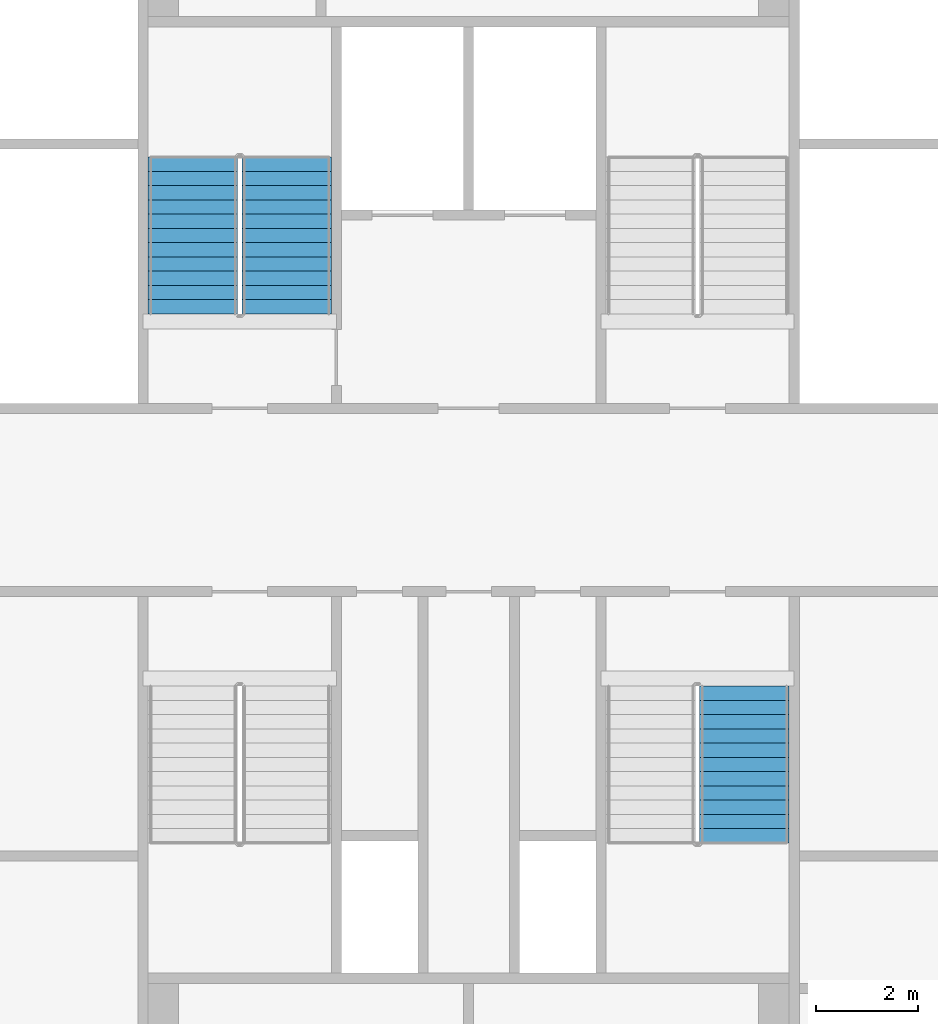
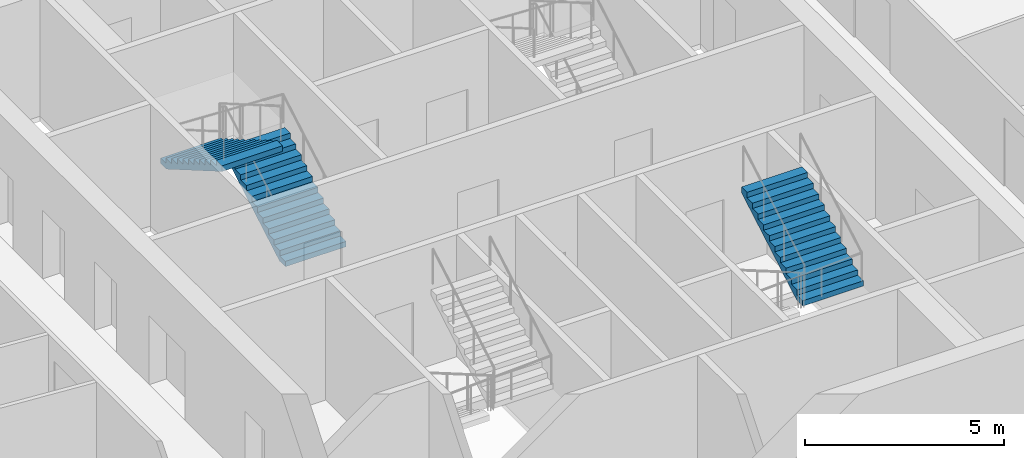
# One storey, part 8 of 14: 3 stair flights, 2 elements without a shape of their own.
"""IFC4 building model written with IfcOpenShell, lengths in metres."""

from ifc_helpers import new_model, si_unit, direction, frame, origin, place, context, subcontext, project, spatial, faceted_brep, material, type_object, element, aggregate, save


model = new_model("IFC4")

# Units and contexts
model_context = context("Model", 3, precision=1e-05, world=origin(), true_north=direction((0.0, 1.0)))
body_context = subcontext(model_context, "Body", "Model", "MODEL_VIEW")
ifc_project = project(units=[si_unit("LENGTHUNIT", "METRE"), si_unit("AREAUNIT", "SQUARE_METRE"), si_unit("VOLUMEUNIT", "CUBIC_METRE"), si_unit("PLANEANGLEUNIT", "RADIAN"), si_unit("MASSUNIT", "GRAM", prefix="KILO")], contexts=[model_context])

# Site, building, storey
site_placement = place(None, origin())
site = spatial("IfcSite", under=ifc_project, at=site_placement, CompositionType="ELEMENT")
building_placement = place(site_placement, origin())
building = spatial("IfcBuilding", under=site, at=building_placement, Name="Tarsis Ring Headquarters", CompositionType="ELEMENT")
storey_placement = place(building_placement, frame((0.0, 0.0, 266.89990234375)))
storey = spatial("IfcBuildingStorey", under=building, at=storey_placement, Name="L62", CompositionType="ELEMENT", Elevation=266.89990234375)

# Stair, stair flights
ifc_material_1 = material(Name="Core stair 1760")
stair_type = type_object("IfcStairType", Name="Core stair 1760", PredefinedType="HALF_TURN_STAIR", material=ifc_material_1)
stair_1_placement = place(storey_placement, origin())
stair_1 = element("IfcStair", 1, at=stair_1_placement, inside=storey, type_object=stair_type, Name="L62 Firefighting stair", PredefinedType="HALF_TURN_STAIR")
ifc_material_2 = material(Name="Concrete C40/50", Category="concrete")
stair_flight_type = type_object("IfcStairFlightType", Name="Core stair flight 1760", PredefinedType="STRAIGHT", material=ifc_material_2)
stair_flight_1_placement = place(storey_placement, frame((-3.580078125, 3.659912109375, 0.0), z_axis=(0.0, 0.0, 1.0), x_axis=(0.0, 1.0, 0.0)))
stair_flight_1 = element("IfcStairFlight", 2, at=stair_flight_1_placement, type_object=stair_flight_type, Name="Stair ST1 flight 1", NumberOfRisers=12, NumberOfTreads=11, PredefinedType="STRAIGHT", RiserHeight=0.1625, TreadLength=0.28, context=body_context, shape_type="Brep", body=[
    faceted_brep([(0.0, 0.8798828125, 0.0), (0.0, 0.8798828125, 0.16259765625), (0.280029296875, 0.8798828125, 0.16259765625), (0.280029296875, 0.8798828125, 0.324951171875), (0.56005859375, 0.8798828125, 0.324951171875), (0.56005859375, 0.8798828125, 0.487548828125), (0.840087890625, 0.8798828125, 0.487548828125), (0.840087890625, 0.8798828125, 0.64990234375), (1.1201171875, 0.8798828125, 0.64990234375), (1.1201171875, 0.8798828125, 0.8125), (1.39990234375, 0.8798828125, 0.8125), (1.39990234375, 0.8798828125, 0.97509765625), (1.679931640625, 0.8798828125, 0.97509765625), (1.679931640625, 0.8798828125, 1.137451171875), (1.9599609375, 0.8798828125, 1.137451171875), (1.9599609375, 0.8798828125, 1.300048828125), (2.239990234375, 0.8798828125, 1.300048828125), (2.239990234375, 0.8798828125, 1.46240234375), (2.52001953125, 0.8798828125, 1.46240234375), (2.52001953125, 0.8798828125, 1.625), (2.800048828125, 0.8798828125, 1.625), (2.800048828125, 0.8798828125, 1.78759765625), (3.080078125, 0.8798828125, 1.78759765625), (3.080078125, 0.8798828125, 1.6142578125), (0.298583984375, 0.8798828125, 0.0), (0.298583984375, -0.8798828125, 0.0), (3.080078125, -0.8798828125, 1.6142578125), (3.080078125, -0.8798828125, 1.78759765625), (2.800048828125, -0.8798828125, 1.78759765625), (2.800048828125, -0.8798828125, 1.625), (2.52001953125, -0.8798828125, 1.625), (2.52001953125, -0.8798828125, 1.46240234375), (2.239990234375, -0.8798828125, 1.46240234375), (2.239990234375, -0.8798828125, 1.300048828125), (1.9599609375, -0.8798828125, 1.300048828125), (1.9599609375, -0.8798828125, 1.137451171875), (1.679931640625, -0.8798828125, 1.137451171875), (1.679931640625, -0.8798828125, 0.97509765625), (1.39990234375, -0.8798828125, 0.97509765625), (1.39990234375, -0.8798828125, 0.8125), (1.1201171875, -0.8798828125, 0.8125), (1.1201171875, -0.8798828125, 0.64990234375), (0.840087890625, -0.8798828125, 0.64990234375), (0.840087890625, -0.8798828125, 0.487548828125), (0.56005859375, -0.8798828125, 0.487548828125), (0.56005859375, -0.8798828125, 0.324951171875), (0.280029296875, -0.8798828125, 0.324951171875), (0.280029296875, -0.8798828125, 0.16259765625), (0.0, -0.8798828125, 0.16259765625), (0.0, -0.8798828125, 0.0), (0.0, -0.43994140625, 0.16259765625), (0.0, -0.43994140625, 0.0), (0.0, 0.0, 0.16259765625), (0.0, 0.0, 0.0), (0.0, 0.43994140625, 0.16259765625), (0.0, 0.43994140625, 0.0), (0.280029296875, -0.43994140625, 0.16259765625), (0.280029296875, 0.0, 0.16259765625), (0.280029296875, 0.43994140625, 0.16259765625), (0.280029296875, -0.43994140625, 0.324951171875), (0.280029296875, 0.0, 0.324951171875), (0.280029296875, 0.43994140625, 0.324951171875), (0.56005859375, -0.43994140625, 0.324951171875), (0.56005859375, 0.0, 0.324951171875), (0.56005859375, 0.43994140625, 0.324951171875), (0.56005859375, -0.43994140625, 0.487548828125), (0.56005859375, 0.0, 0.487548828125), (0.56005859375, 0.43994140625, 0.487548828125), (0.840087890625, -0.43994140625, 0.487548828125), (0.840087890625, 0.0, 0.487548828125), (0.840087890625, 0.43994140625, 0.487548828125), (0.840087890625, -0.43994140625, 0.64990234375), (0.840087890625, 0.0, 0.64990234375), (0.840087890625, 0.43994140625, 0.64990234375), (1.1201171875, -0.43994140625, 0.64990234375), (1.1201171875, 0.0, 0.64990234375), (1.1201171875, 0.43994140625, 0.64990234375), (1.1201171875, -0.43994140625, 0.8125), (1.1201171875, 0.0, 0.8125), (1.1201171875, 0.43994140625, 0.8125), (1.39990234375, -0.43994140625, 0.8125), (1.39990234375, 0.0, 0.8125), (1.39990234375, 0.43994140625, 0.8125), (1.39990234375, -0.43994140625, 0.97509765625), (1.39990234375, 0.0, 0.97509765625), (1.39990234375, 0.43994140625, 0.97509765625), (1.679931640625, -0.43994140625, 0.97509765625), (1.679931640625, 0.0, 0.97509765625), (1.679931640625, 0.43994140625, 0.97509765625), (1.679931640625, -0.43994140625, 1.137451171875), (1.679931640625, 0.0, 1.137451171875), (1.679931640625, 0.43994140625, 1.137451171875), (1.9599609375, -0.43994140625, 1.137451171875), (1.9599609375, 0.0, 1.137451171875), (1.9599609375, 0.43994140625, 1.137451171875), (1.9599609375, -0.43994140625, 1.300048828125), (1.9599609375, 0.0, 1.300048828125), (1.9599609375, 0.43994140625, 1.300048828125), (2.239990234375, -0.43994140625, 1.300048828125), (2.239990234375, 0.0, 1.300048828125), (2.239990234375, 0.43994140625, 1.300048828125), (2.239990234375, -0.43994140625, 1.46240234375), (2.239990234375, 0.0, 1.46240234375), (2.239990234375, 0.43994140625, 1.46240234375), (2.52001953125, -0.43994140625, 1.46240234375), (2.52001953125, 0.0, 1.46240234375), (2.52001953125, 0.43994140625, 1.46240234375), (2.52001953125, -0.43994140625, 1.625), (2.52001953125, 0.0, 1.625), (2.52001953125, 0.43994140625, 1.625), (2.800048828125, -0.43994140625, 1.625), (2.800048828125, 0.0, 1.625), (2.800048828125, 0.43994140625, 1.625), (2.800048828125, -0.43994140625, 1.78759765625), (2.800048828125, 0.0, 1.78759765625), (2.800048828125, 0.43994140625, 1.78759765625), (3.080078125, -0.43994140625, 1.78759765625), (3.080078125, 0.0, 1.78759765625), (3.080078125, 0.43994140625, 1.78759765625), (3.080078125, -0.43994140625, 1.6142578125), (3.080078125, 0.0, 1.6142578125), (3.080078125, 0.43994140625, 1.6142578125), (0.298583984375, -0.43994140625, 0.0), (0.298583984375, 0.0, 0.0), (0.298583984375, 0.43994140625, 0.0)], [[[0, 1, 2, 3, 4, 5, 6, 7, 8, 9, 10, 11, 12, 13, 14, 15, 16, 17, 18, 19, 20, 21, 22, 23, 24]], [[25, 26, 27, 28, 29, 30, 31, 32, 33, 34, 35, 36, 37, 38, 39, 40, 41, 42, 43, 44, 45, 46, 47, 48, 49]], [[49, 48, 50, 51]], [[51, 50, 52, 53]], [[53, 52, 54, 55]], [[55, 54, 1, 0]], [[48, 47, 56, 50]], [[50, 56, 57, 52]], [[52, 57, 58, 54]], [[54, 58, 2, 1]], [[47, 46, 59, 56]], [[56, 59, 60, 57]], [[57, 60, 61, 58]], [[58, 61, 3, 2]], [[46, 45, 62, 59]], [[59, 62, 63, 60]], [[60, 63, 64, 61]], [[61, 64, 4, 3]], [[45, 44, 65, 62]], [[62, 65, 66, 63]], [[63, 66, 67, 64]], [[64, 67, 5, 4]], [[44, 43, 68, 65]], [[65, 68, 69, 66]], [[66, 69, 70, 67]], [[67, 70, 6, 5]], [[43, 42, 71, 68]], [[68, 71, 72, 69]], [[69, 72, 73, 70]], [[70, 73, 7, 6]], [[42, 41, 74, 71]], [[71, 74, 75, 72]], [[72, 75, 76, 73]], [[73, 76, 8, 7]], [[41, 40, 77, 74]], [[74, 77, 78, 75]], [[75, 78, 79, 76]], [[76, 79, 9, 8]], [[40, 39, 80, 77]], [[77, 80, 81, 78]], [[78, 81, 82, 79]], [[79, 82, 10, 9]], [[39, 38, 83, 80]], [[80, 83, 84, 81]], [[81, 84, 85, 82]], [[82, 85, 11, 10]], [[38, 37, 86, 83]], [[83, 86, 87, 84]], [[84, 87, 88, 85]], [[85, 88, 12, 11]], [[37, 36, 89, 86]], [[86, 89, 90, 87]], [[87, 90, 91, 88]], [[88, 91, 13, 12]], [[36, 35, 92, 89]], [[89, 92, 93, 90]], [[90, 93, 94, 91]], [[91, 94, 14, 13]], [[35, 34, 95, 92]], [[92, 95, 96, 93]], [[93, 96, 97, 94]], [[94, 97, 15, 14]], [[34, 33, 98, 95]], [[95, 98, 99, 96]], [[96, 99, 100, 97]], [[97, 100, 16, 15]], [[33, 32, 101, 98]], [[98, 101, 102, 99]], [[99, 102, 103, 100]], [[100, 103, 17, 16]], [[32, 31, 104, 101]], [[101, 104, 105, 102]], [[102, 105, 106, 103]], [[103, 106, 18, 17]], [[31, 30, 107, 104]], [[104, 107, 108, 105]], [[105, 108, 109, 106]], [[106, 109, 19, 18]], [[30, 29, 110, 107]], [[107, 110, 111, 108]], [[108, 111, 112, 109]], [[109, 112, 20, 19]], [[29, 28, 113, 110]], [[110, 113, 114, 111]], [[111, 114, 115, 112]], [[112, 115, 21, 20]], [[28, 27, 116, 113]], [[113, 116, 117, 114]], [[114, 117, 118, 115]], [[115, 118, 22, 21]], [[27, 26, 119, 116]], [[116, 119, 120, 117]], [[117, 120, 121, 118]], [[118, 121, 23, 22]], [[26, 25, 122, 119]], [[119, 122, 123, 120]], [[120, 123, 124, 121]], [[121, 124, 24, 23]], [[25, 49, 51, 122]], [[122, 51, 53, 123]], [[123, 53, 55, 124]], [[124, 55, 0, 24]]]),
])
stair_flight_2_placement = place(storey_placement, frame((-5.419921875, 6.739990234375, 1.9501953125), z_axis=(0.0, 0.0, 1.0), x_axis=(0.0, -1.0, 0.0)))
stair_flight_2 = element("IfcStairFlight", 3, at=stair_flight_2_placement, type_object=stair_flight_type, Name="Stair ST1 flight 2", NumberOfRisers=12, NumberOfTreads=11, PredefinedType="STRAIGHT", RiserHeight=0.1625, TreadLength=0.28, context=body_context, shape_type="Brep", body=[
    faceted_brep([(0.0, 0.8798828125, 0.0), (0.0, 0.8798828125, 0.16259765625), (0.280029296875, 0.8798828125, 0.16259765625), (0.280029296875, 0.8798828125, 0.324951171875), (0.56005859375, 0.8798828125, 0.324951171875), (0.56005859375, 0.8798828125, 0.487548828125), (0.840087890625, 0.8798828125, 0.487548828125), (0.840087890625, 0.8798828125, 0.64990234375), (1.1201171875, 0.8798828125, 0.64990234375), (1.1201171875, 0.8798828125, 0.8125), (1.39990234375, 0.8798828125, 0.8125), (1.39990234375, 0.8798828125, 0.97509765625), (1.679931640625, 0.8798828125, 0.97509765625), (1.679931640625, 0.8798828125, 1.137451171875), (1.9599609375, 0.8798828125, 1.137451171875), (1.9599609375, 0.8798828125, 1.300048828125), (2.239990234375, 0.8798828125, 1.300048828125), (2.239990234375, 0.8798828125, 1.46240234375), (2.52001953125, 0.8798828125, 1.46240234375), (2.52001953125, 0.8798828125, 1.625), (2.800048828125, 0.8798828125, 1.625), (2.800048828125, 0.8798828125, 1.78759765625), (3.080078125, 0.8798828125, 1.78759765625), (3.080078125, 0.8798828125, 1.6142578125), (0.298583984375, 0.8798828125, 0.0), (0.298583984375, -0.8798828125, 0.0), (3.080078125, -0.8798828125, 1.6142578125), (3.080078125, -0.8798828125, 1.78759765625), (2.800048828125, -0.8798828125, 1.78759765625), (2.800048828125, -0.8798828125, 1.625), (2.52001953125, -0.8798828125, 1.625), (2.52001953125, -0.8798828125, 1.46240234375), (2.239990234375, -0.8798828125, 1.46240234375), (2.239990234375, -0.8798828125, 1.300048828125), (1.9599609375, -0.8798828125, 1.300048828125), (1.9599609375, -0.8798828125, 1.137451171875), (1.679931640625, -0.8798828125, 1.137451171875), (1.679931640625, -0.8798828125, 0.97509765625), (1.39990234375, -0.8798828125, 0.97509765625), (1.39990234375, -0.8798828125, 0.8125), (1.1201171875, -0.8798828125, 0.8125), (1.1201171875, -0.8798828125, 0.64990234375), (0.840087890625, -0.8798828125, 0.64990234375), (0.840087890625, -0.8798828125, 0.487548828125), (0.56005859375, -0.8798828125, 0.487548828125), (0.56005859375, -0.8798828125, 0.324951171875), (0.280029296875, -0.8798828125, 0.324951171875), (0.280029296875, -0.8798828125, 0.16259765625), (0.0, -0.8798828125, 0.16259765625), (0.0, -0.8798828125, 0.0), (0.0, -0.43994140625, 0.16259765625), (0.0, -0.43994140625, 0.0), (0.0, 0.0, 0.16259765625), (0.0, 0.0, 0.0), (0.0, 0.43994140625, 0.16259765625), (0.0, 0.43994140625, 0.0), (0.280029296875, -0.43994140625, 0.16259765625), (0.280029296875, 0.0, 0.16259765625), (0.280029296875, 0.43994140625, 0.16259765625), (0.280029296875, -0.43994140625, 0.324951171875), (0.280029296875, 0.0, 0.324951171875), (0.280029296875, 0.43994140625, 0.324951171875), (0.56005859375, -0.43994140625, 0.324951171875), (0.56005859375, 0.0, 0.324951171875), (0.56005859375, 0.43994140625, 0.324951171875), (0.56005859375, -0.43994140625, 0.487548828125), (0.56005859375, 0.0, 0.487548828125), (0.56005859375, 0.43994140625, 0.487548828125), (0.840087890625, -0.43994140625, 0.487548828125), (0.840087890625, 0.0, 0.487548828125), (0.840087890625, 0.43994140625, 0.487548828125), (0.840087890625, -0.43994140625, 0.64990234375), (0.840087890625, 0.0, 0.64990234375), (0.840087890625, 0.43994140625, 0.64990234375), (1.1201171875, -0.43994140625, 0.64990234375), (1.1201171875, 0.0, 0.64990234375), (1.1201171875, 0.43994140625, 0.64990234375), (1.1201171875, -0.43994140625, 0.8125), (1.1201171875, 0.0, 0.8125), (1.1201171875, 0.43994140625, 0.8125), (1.39990234375, -0.43994140625, 0.8125), (1.39990234375, 0.0, 0.8125), (1.39990234375, 0.43994140625, 0.8125), (1.39990234375, -0.43994140625, 0.97509765625), (1.39990234375, 0.0, 0.97509765625), (1.39990234375, 0.43994140625, 0.97509765625), (1.679931640625, -0.43994140625, 0.97509765625), (1.679931640625, 0.0, 0.97509765625), (1.679931640625, 0.43994140625, 0.97509765625), (1.679931640625, -0.43994140625, 1.137451171875), (1.679931640625, 0.0, 1.137451171875), (1.679931640625, 0.43994140625, 1.137451171875), (1.9599609375, -0.43994140625, 1.137451171875), (1.9599609375, 0.0, 1.137451171875), (1.9599609375, 0.43994140625, 1.137451171875), (1.9599609375, -0.43994140625, 1.300048828125), (1.9599609375, 0.0, 1.300048828125), (1.9599609375, 0.43994140625, 1.300048828125), (2.239990234375, -0.43994140625, 1.300048828125), (2.239990234375, 0.0, 1.300048828125), (2.239990234375, 0.43994140625, 1.300048828125), (2.239990234375, -0.43994140625, 1.46240234375), (2.239990234375, 0.0, 1.46240234375), (2.239990234375, 0.43994140625, 1.46240234375), (2.52001953125, -0.43994140625, 1.46240234375), (2.52001953125, 0.0, 1.46240234375), (2.52001953125, 0.43994140625, 1.46240234375), (2.52001953125, -0.43994140625, 1.625), (2.52001953125, 0.0, 1.625), (2.52001953125, 0.43994140625, 1.625), (2.800048828125, -0.43994140625, 1.625), (2.800048828125, 0.0, 1.625), (2.800048828125, 0.43994140625, 1.625), (2.800048828125, -0.43994140625, 1.78759765625), (2.800048828125, 0.0, 1.78759765625), (2.800048828125, 0.43994140625, 1.78759765625), (3.080078125, -0.43994140625, 1.78759765625), (3.080078125, 0.0, 1.78759765625), (3.080078125, 0.43994140625, 1.78759765625), (3.080078125, -0.43994140625, 1.6142578125), (3.080078125, 0.0, 1.6142578125), (3.080078125, 0.43994140625, 1.6142578125), (0.298583984375, -0.43994140625, 0.0), (0.298583984375, 0.0, 0.0), (0.298583984375, 0.43994140625, 0.0)], [[[0, 1, 2, 3, 4, 5, 6, 7, 8, 9, 10, 11, 12, 13, 14, 15, 16, 17, 18, 19, 20, 21, 22, 23, 24]], [[25, 26, 27, 28, 29, 30, 31, 32, 33, 34, 35, 36, 37, 38, 39, 40, 41, 42, 43, 44, 45, 46, 47, 48, 49]], [[49, 48, 50, 51]], [[51, 50, 52, 53]], [[53, 52, 54, 55]], [[55, 54, 1, 0]], [[48, 47, 56, 50]], [[50, 56, 57, 52]], [[52, 57, 58, 54]], [[54, 58, 2, 1]], [[47, 46, 59, 56]], [[56, 59, 60, 57]], [[57, 60, 61, 58]], [[58, 61, 3, 2]], [[46, 45, 62, 59]], [[59, 62, 63, 60]], [[60, 63, 64, 61]], [[61, 64, 4, 3]], [[45, 44, 65, 62]], [[62, 65, 66, 63]], [[63, 66, 67, 64]], [[64, 67, 5, 4]], [[44, 43, 68, 65]], [[65, 68, 69, 66]], [[66, 69, 70, 67]], [[67, 70, 6, 5]], [[43, 42, 71, 68]], [[68, 71, 72, 69]], [[69, 72, 73, 70]], [[70, 73, 7, 6]], [[42, 41, 74, 71]], [[71, 74, 75, 72]], [[72, 75, 76, 73]], [[73, 76, 8, 7]], [[41, 40, 77, 74]], [[74, 77, 78, 75]], [[75, 78, 79, 76]], [[76, 79, 9, 8]], [[40, 39, 80, 77]], [[77, 80, 81, 78]], [[78, 81, 82, 79]], [[79, 82, 10, 9]], [[39, 38, 83, 80]], [[80, 83, 84, 81]], [[81, 84, 85, 82]], [[82, 85, 11, 10]], [[38, 37, 86, 83]], [[83, 86, 87, 84]], [[84, 87, 88, 85]], [[85, 88, 12, 11]], [[37, 36, 89, 86]], [[86, 89, 90, 87]], [[87, 90, 91, 88]], [[88, 91, 13, 12]], [[36, 35, 92, 89]], [[89, 92, 93, 90]], [[90, 93, 94, 91]], [[91, 94, 14, 13]], [[35, 34, 95, 92]], [[92, 95, 96, 93]], [[93, 96, 97, 94]], [[94, 97, 15, 14]], [[34, 33, 98, 95]], [[95, 98, 99, 96]], [[96, 99, 100, 97]], [[97, 100, 16, 15]], [[33, 32, 101, 98]], [[98, 101, 102, 99]], [[99, 102, 103, 100]], [[100, 103, 17, 16]], [[32, 31, 104, 101]], [[101, 104, 105, 102]], [[102, 105, 106, 103]], [[103, 106, 18, 17]], [[31, 30, 107, 104]], [[104, 107, 108, 105]], [[105, 108, 109, 106]], [[106, 109, 19, 18]], [[30, 29, 110, 107]], [[107, 110, 111, 108]], [[108, 111, 112, 109]], [[109, 112, 20, 19]], [[29, 28, 113, 110]], [[110, 113, 114, 111]], [[111, 114, 115, 112]], [[112, 115, 21, 20]], [[28, 27, 116, 113]], [[113, 116, 117, 114]], [[114, 117, 118, 115]], [[115, 118, 22, 21]], [[27, 26, 119, 116]], [[116, 119, 120, 117]], [[117, 120, 121, 118]], [[118, 121, 23, 22]], [[26, 25, 122, 119]], [[119, 122, 123, 120]], [[120, 123, 124, 121]], [[121, 124, 24, 23]], [[25, 49, 51, 122]], [[122, 51, 53, 123]], [[123, 53, 55, 124]], [[124, 55, 0, 24]]]),
])
aggregate(stair_1, [stair_flight_1, stair_flight_2])

# Stair, stair flight
stair_2_placement = place(storey_placement, origin())
stair_2 = element("IfcStair", 4, at=stair_2_placement, inside=storey, type_object=stair_type, Name="L62 Exit stair D", PredefinedType="HALF_TURN_STAIR")
stair_flight_3_placement = place(storey_placement, frame((5.419921875, -6.739990234375, 1.9501953125), z_axis=(0.0, 0.0, 1.0), x_axis=(0.0, 1.0, 0.0)))
stair_flight_3 = element("IfcStairFlight", 5, at=stair_flight_3_placement, type_object=stair_flight_type, Name="Stair ST4 flight 2", NumberOfRisers=12, NumberOfTreads=11, PredefinedType="STRAIGHT", RiserHeight=0.1625, TreadLength=0.28, context=body_context, shape_type="Brep", body=[
    faceted_brep([(0.0, 0.8798828125, 0.0), (0.0, 0.8798828125, 0.16259765625), (0.280029296875, 0.8798828125, 0.16259765625), (0.280029296875, 0.8798828125, 0.324951171875), (0.56005859375, 0.8798828125, 0.324951171875), (0.56005859375, 0.8798828125, 0.487548828125), (0.840087890625, 0.8798828125, 0.487548828125), (0.840087890625, 0.8798828125, 0.64990234375), (1.1201171875, 0.8798828125, 0.64990234375), (1.1201171875, 0.8798828125, 0.8125), (1.39990234375, 0.8798828125, 0.8125), (1.39990234375, 0.8798828125, 0.97509765625), (1.679931640625, 0.8798828125, 0.97509765625), (1.679931640625, 0.8798828125, 1.137451171875), (1.9599609375, 0.8798828125, 1.137451171875), (1.9599609375, 0.8798828125, 1.300048828125), (2.239990234375, 0.8798828125, 1.300048828125), (2.239990234375, 0.8798828125, 1.46240234375), (2.52001953125, 0.8798828125, 1.46240234375), (2.52001953125, 0.8798828125, 1.625), (2.800048828125, 0.8798828125, 1.625), (2.800048828125, 0.8798828125, 1.78759765625), (3.080078125, 0.8798828125, 1.78759765625), (3.080078125, 0.8798828125, 1.6142578125), (0.298583984375, 0.8798828125, 0.0), (0.298583984375, -0.8798828125, 0.0), (3.080078125, -0.8798828125, 1.6142578125), (3.080078125, -0.8798828125, 1.78759765625), (2.800048828125, -0.8798828125, 1.78759765625), (2.800048828125, -0.8798828125, 1.625), (2.52001953125, -0.8798828125, 1.625), (2.52001953125, -0.8798828125, 1.46240234375), (2.239990234375, -0.8798828125, 1.46240234375), (2.239990234375, -0.8798828125, 1.300048828125), (1.9599609375, -0.8798828125, 1.300048828125), (1.9599609375, -0.8798828125, 1.137451171875), (1.679931640625, -0.8798828125, 1.137451171875), (1.679931640625, -0.8798828125, 0.97509765625), (1.39990234375, -0.8798828125, 0.97509765625), (1.39990234375, -0.8798828125, 0.8125), (1.1201171875, -0.8798828125, 0.8125), (1.1201171875, -0.8798828125, 0.64990234375), (0.840087890625, -0.8798828125, 0.64990234375), (0.840087890625, -0.8798828125, 0.487548828125), (0.56005859375, -0.8798828125, 0.487548828125), (0.56005859375, -0.8798828125, 0.324951171875), (0.280029296875, -0.8798828125, 0.324951171875), (0.280029296875, -0.8798828125, 0.16259765625), (0.0, -0.8798828125, 0.16259765625), (0.0, -0.8798828125, 0.0), (0.0, -0.43994140625, 0.16259765625), (0.0, -0.43994140625, 0.0), (0.0, 0.0, 0.16259765625), (0.0, 0.0, 0.0), (0.0, 0.43994140625, 0.16259765625), (0.0, 0.43994140625, 0.0), (0.280029296875, -0.43994140625, 0.16259765625), (0.280029296875, 0.0, 0.16259765625), (0.280029296875, 0.43994140625, 0.16259765625), (0.280029296875, -0.43994140625, 0.324951171875), (0.280029296875, 0.0, 0.324951171875), (0.280029296875, 0.43994140625, 0.324951171875), (0.56005859375, -0.43994140625, 0.324951171875), (0.56005859375, 0.0, 0.324951171875), (0.56005859375, 0.43994140625, 0.324951171875), (0.56005859375, -0.43994140625, 0.487548828125), (0.56005859375, 0.0, 0.487548828125), (0.56005859375, 0.43994140625, 0.487548828125), (0.840087890625, -0.43994140625, 0.487548828125), (0.840087890625, 0.0, 0.487548828125), (0.840087890625, 0.43994140625, 0.487548828125), (0.840087890625, -0.43994140625, 0.64990234375), (0.840087890625, 0.0, 0.64990234375), (0.840087890625, 0.43994140625, 0.64990234375), (1.1201171875, -0.43994140625, 0.64990234375), (1.1201171875, 0.0, 0.64990234375), (1.1201171875, 0.43994140625, 0.64990234375), (1.1201171875, -0.43994140625, 0.8125), (1.1201171875, 0.0, 0.8125), (1.1201171875, 0.43994140625, 0.8125), (1.39990234375, -0.43994140625, 0.8125), (1.39990234375, 0.0, 0.8125), (1.39990234375, 0.43994140625, 0.8125), (1.39990234375, -0.43994140625, 0.97509765625), (1.39990234375, 0.0, 0.97509765625), (1.39990234375, 0.43994140625, 0.97509765625), (1.679931640625, -0.43994140625, 0.97509765625), (1.679931640625, 0.0, 0.97509765625), (1.679931640625, 0.43994140625, 0.97509765625), (1.679931640625, -0.43994140625, 1.137451171875), (1.679931640625, 0.0, 1.137451171875), (1.679931640625, 0.43994140625, 1.137451171875), (1.9599609375, -0.43994140625, 1.137451171875), (1.9599609375, 0.0, 1.137451171875), (1.9599609375, 0.43994140625, 1.137451171875), (1.9599609375, -0.43994140625, 1.300048828125), (1.9599609375, 0.0, 1.300048828125), (1.9599609375, 0.43994140625, 1.300048828125), (2.239990234375, -0.43994140625, 1.300048828125), (2.239990234375, 0.0, 1.300048828125), (2.239990234375, 0.43994140625, 1.300048828125), (2.239990234375, -0.43994140625, 1.46240234375), (2.239990234375, 0.0, 1.46240234375), (2.239990234375, 0.43994140625, 1.46240234375), (2.52001953125, -0.43994140625, 1.46240234375), (2.52001953125, 0.0, 1.46240234375), (2.52001953125, 0.43994140625, 1.46240234375), (2.52001953125, -0.43994140625, 1.625), (2.52001953125, 0.0, 1.625), (2.52001953125, 0.43994140625, 1.625), (2.800048828125, -0.43994140625, 1.625), (2.800048828125, 0.0, 1.625), (2.800048828125, 0.43994140625, 1.625), (2.800048828125, -0.43994140625, 1.78759765625), (2.800048828125, 0.0, 1.78759765625), (2.800048828125, 0.43994140625, 1.78759765625), (3.080078125, -0.43994140625, 1.78759765625), (3.080078125, 0.0, 1.78759765625), (3.080078125, 0.43994140625, 1.78759765625), (3.080078125, -0.43994140625, 1.6142578125), (3.080078125, 0.0, 1.6142578125), (3.080078125, 0.43994140625, 1.6142578125), (0.298583984375, -0.43994140625, 0.0), (0.298583984375, 0.0, 0.0), (0.298583984375, 0.43994140625, 0.0)], [[[0, 1, 2, 3, 4, 5, 6, 7, 8, 9, 10, 11, 12, 13, 14, 15, 16, 17, 18, 19, 20, 21, 22, 23, 24]], [[25, 26, 27, 28, 29, 30, 31, 32, 33, 34, 35, 36, 37, 38, 39, 40, 41, 42, 43, 44, 45, 46, 47, 48, 49]], [[49, 48, 50, 51]], [[51, 50, 52, 53]], [[53, 52, 54, 55]], [[55, 54, 1, 0]], [[48, 47, 56, 50]], [[50, 56, 57, 52]], [[52, 57, 58, 54]], [[54, 58, 2, 1]], [[47, 46, 59, 56]], [[56, 59, 60, 57]], [[57, 60, 61, 58]], [[58, 61, 3, 2]], [[46, 45, 62, 59]], [[59, 62, 63, 60]], [[60, 63, 64, 61]], [[61, 64, 4, 3]], [[45, 44, 65, 62]], [[62, 65, 66, 63]], [[63, 66, 67, 64]], [[64, 67, 5, 4]], [[44, 43, 68, 65]], [[65, 68, 69, 66]], [[66, 69, 70, 67]], [[67, 70, 6, 5]], [[43, 42, 71, 68]], [[68, 71, 72, 69]], [[69, 72, 73, 70]], [[70, 73, 7, 6]], [[42, 41, 74, 71]], [[71, 74, 75, 72]], [[72, 75, 76, 73]], [[73, 76, 8, 7]], [[41, 40, 77, 74]], [[74, 77, 78, 75]], [[75, 78, 79, 76]], [[76, 79, 9, 8]], [[40, 39, 80, 77]], [[77, 80, 81, 78]], [[78, 81, 82, 79]], [[79, 82, 10, 9]], [[39, 38, 83, 80]], [[80, 83, 84, 81]], [[81, 84, 85, 82]], [[82, 85, 11, 10]], [[38, 37, 86, 83]], [[83, 86, 87, 84]], [[84, 87, 88, 85]], [[85, 88, 12, 11]], [[37, 36, 89, 86]], [[86, 89, 90, 87]], [[87, 90, 91, 88]], [[88, 91, 13, 12]], [[36, 35, 92, 89]], [[89, 92, 93, 90]], [[90, 93, 94, 91]], [[91, 94, 14, 13]], [[35, 34, 95, 92]], [[92, 95, 96, 93]], [[93, 96, 97, 94]], [[94, 97, 15, 14]], [[34, 33, 98, 95]], [[95, 98, 99, 96]], [[96, 99, 100, 97]], [[97, 100, 16, 15]], [[33, 32, 101, 98]], [[98, 101, 102, 99]], [[99, 102, 103, 100]], [[100, 103, 17, 16]], [[32, 31, 104, 101]], [[101, 104, 105, 102]], [[102, 105, 106, 103]], [[103, 106, 18, 17]], [[31, 30, 107, 104]], [[104, 107, 108, 105]], [[105, 108, 109, 106]], [[106, 109, 19, 18]], [[30, 29, 110, 107]], [[107, 110, 111, 108]], [[108, 111, 112, 109]], [[109, 112, 20, 19]], [[29, 28, 113, 110]], [[110, 113, 114, 111]], [[111, 114, 115, 112]], [[112, 115, 21, 20]], [[28, 27, 116, 113]], [[113, 116, 117, 114]], [[114, 117, 118, 115]], [[115, 118, 22, 21]], [[27, 26, 119, 116]], [[116, 119, 120, 117]], [[117, 120, 121, 118]], [[118, 121, 23, 22]], [[26, 25, 122, 119]], [[119, 122, 123, 120]], [[120, 123, 124, 121]], [[121, 124, 24, 23]], [[25, 49, 51, 122]], [[122, 51, 53, 123]], [[123, 53, 55, 124]], [[124, 55, 0, 24]]]),
])
aggregate(stair_2, [stair_flight_3])

save(model, "model.ifc")
